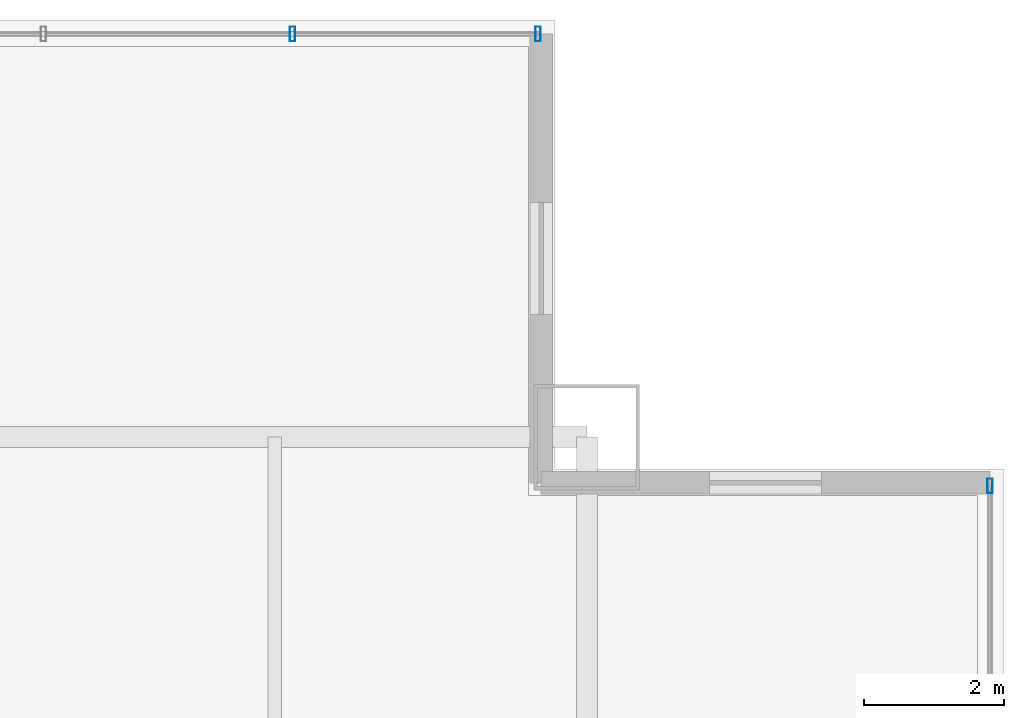
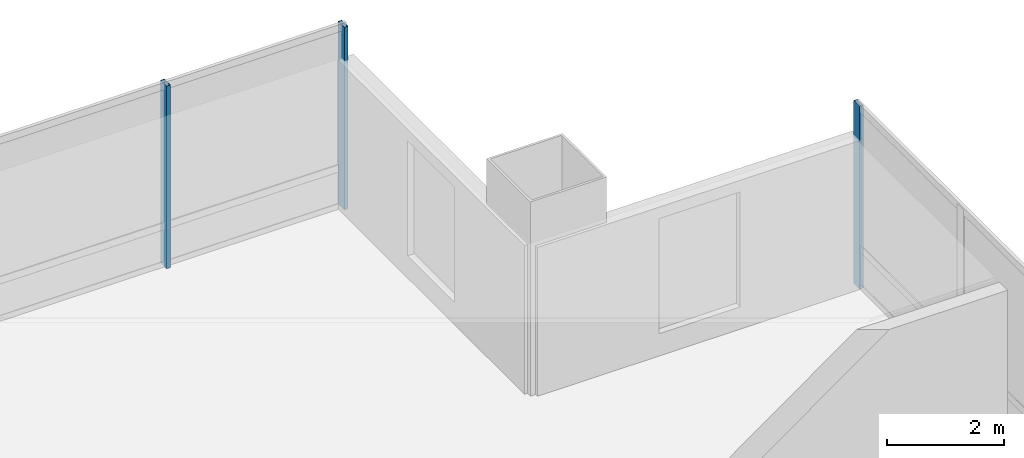
# One storey, part 25 of 35: 3 members, 2 elements without a shape of their own.
"""IFC4 building model written with IfcOpenShell, lengths in metres."""

from ifc_helpers import new_model, si_unit, direction, frame, origin, origin_2d, place, context, subcontext, project, spatial, hollow_rectangle, extrude, material, material_profile, profile_set, type_object, element, aggregate, save


model = new_model("IFC4")

# Units and contexts
model_context = context("Model", 3, precision=1e-05, world=origin(), true_north=direction((0.0, 1.0)))
body_context = subcontext(model_context, "Body", "Model", "MODEL_VIEW")
ifc_project = project(units=[si_unit("LENGTHUNIT", "METRE"), si_unit("AREAUNIT", "SQUARE_METRE"), si_unit("VOLUMEUNIT", "CUBIC_METRE"), si_unit("PLANEANGLEUNIT", "RADIAN"), si_unit("MASSUNIT", "GRAM", prefix="KILO")], contexts=[model_context])

# Site, building, storey
site_placement = place(None, origin())
site = spatial("IfcSite", under=ifc_project, at=site_placement, CompositionType="ELEMENT")
building_placement = place(site_placement, origin())
building = spatial("IfcBuilding", under=site, at=building_placement, Name="Punatoya Terracotta Tower", CompositionType="ELEMENT")
storey_placement = place(building_placement, frame((0.0, 0.0, 113.25)))
storey = spatial("IfcBuildingStorey", under=building, at=storey_placement, Name="L26", CompositionType="ELEMENT", Elevation=113.25)

# Curtain wall, member
ifc_material_1 = material(Name="Aluminium 6063-T6 + Double Low-E Glass", Category="aluminium")
curtain_wall_type = type_object("IfcCurtainWallType", Name="CW-M1", PredefinedType="NOTDEFINED", material=ifc_material_1)
curtain_wall_1_placement = place(storey_placement, origin())
curtain_wall_1 = element("IfcCurtainWall", 1, at=curtain_wall_1_placement, inside=storey, type_object=curtain_wall_type, Name="L26 Curtain Wall CW-L26-E05-1", PredefinedType="NOTDEFINED")
ifc_material_2 = material(Name="Aluminium 6063-T6", Category="aluminium")
ifc_material_profile = material_profile(ifc_material_2, hollow_rectangle(XDim=0.074951171875, YDim=0.2099609375, WallThickness=0.00439453125, at=origin_2d()))
ifc_profile_set = profile_set([ifc_material_profile], Name="Aluminium 6063-T6")
member_type = type_object("IfcMemberType", Name="CW-MUL-M1", PredefinedType="MULLION", material=ifc_profile_set)
member_1_placement = place(storey_placement, frame((24.85009765625, 16.804931640625, 0.0), z_axis=(0.0, 0.0, 1.0), x_axis=(1.0, 0.0, 0.0)))
member_1 = element("IfcMember", 2, at=member_1_placement, type_object=member_type, Name="CW-L26-E05-1 Mullion 09", PredefinedType="MULLION", context=body_context, shape_type="SweptSolid", body=[
    extrude(hollow_rectangle(XDim=0.074951171875, YDim=0.2099609375, WallThickness=0.00439453125, at=origin_2d()), origin(), (0.0, 0.0, 1.0), 3.81005859375),
])
aggregate(curtain_wall_1, [member_1])

# Curtain wall, members
curtain_wall_2_placement = place(storey_placement, origin())
curtain_wall_2 = element("IfcCurtainWall", 3, at=curtain_wall_2_placement, inside=storey, type_object=curtain_wall_type, Name="L26 Curtain Wall CW-L26-N08-1", PredefinedType="NOTDEFINED")
member_2_placement = place(storey_placement, frame((18.405029296875, 23.25, 0.0), z_axis=(0.0, 0.0, 1.0), x_axis=(1.0, 0.0, 0.0)))
member_2 = element("IfcMember", 4, at=member_2_placement, type_object=member_type, Name="CW-L26-N08-1 Mullion 00", PredefinedType="MULLION", context=body_context, shape_type="SweptSolid", body=[
    extrude(hollow_rectangle(XDim=0.074951171875, YDim=0.2099609375, WallThickness=0.00439453125, at=origin_2d()), origin(), (0.0, 0.0, 1.0), 3.81005859375),
])
member_3_placement = place(storey_placement, frame((14.9013671875, 23.25, 0.0), z_axis=(0.0, 0.0, 1.0), x_axis=(1.0, 0.0, 0.0)))
member_3 = element("IfcMember", 5, at=member_3_placement, type_object=member_type, Name="CW-L26-N08-1 Mullion 01", PredefinedType="MULLION", context=body_context, shape_type="SweptSolid", body=[
    extrude(hollow_rectangle(XDim=0.074951171875, YDim=0.2099609375, WallThickness=0.00439453125, at=origin_2d()), origin(), (0.0, 0.0, 1.0), 3.81005859375),
])
aggregate(curtain_wall_2, [member_2, member_3])

save(model, "model.ifc")
